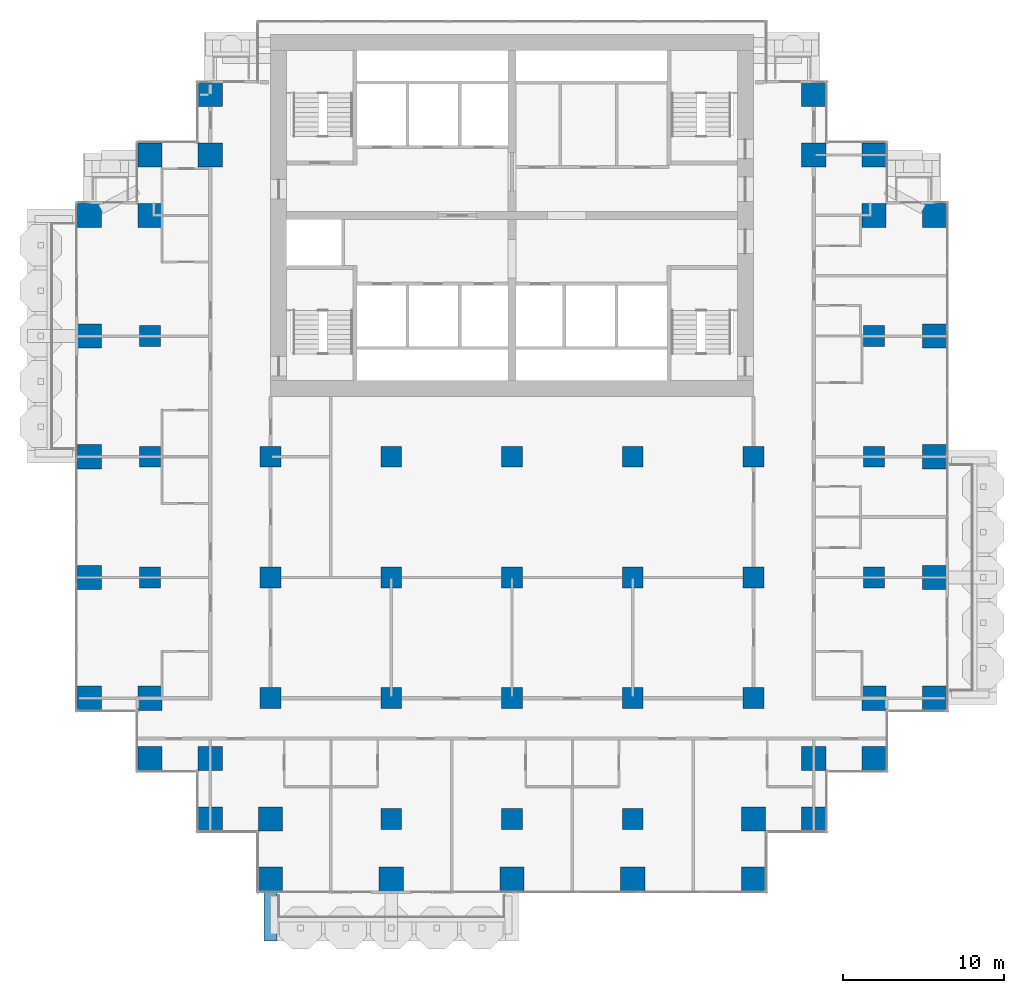
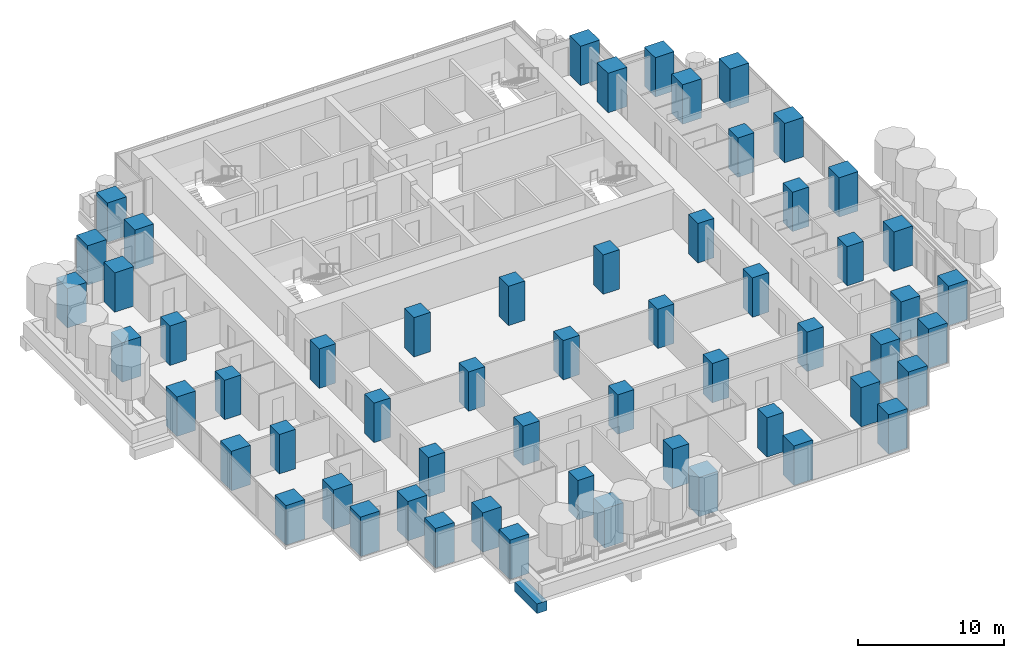
# One storey, part 1 of 18: 57 columns, 1 beam.
"""IFC4 building model written with IfcOpenShell, lengths in metres."""

from ifc_helpers import new_model, si_unit, direction, frame, origin, origin_2d, place, context, subcontext, project, spatial, rectangle, extrude, material, material_profile, profile_set, type_object, element, save


model = new_model("IFC4")

# Units and contexts
model_context = context("Model", 3, precision=1e-05, world=origin(), true_north=direction((0.0, 1.0)))
body_context = subcontext(model_context, "Body", "Model", "MODEL_VIEW")
ifc_project = project(units=[si_unit("LENGTHUNIT", "METRE"), si_unit("AREAUNIT", "SQUARE_METRE"), si_unit("VOLUMEUNIT", "CUBIC_METRE"), si_unit("PLANEANGLEUNIT", "RADIAN"), si_unit("MASSUNIT", "GRAM", prefix="KILO")], contexts=[model_context])

# Site, building, storey
site_placement = place(None, origin())
site = spatial("IfcSite", under=ifc_project, at=site_placement, CompositionType="ELEMENT")
building_placement = place(site_placement, origin())
building = spatial("IfcBuilding", under=site, at=building_placement, Name="Pilkhan Gate Tower", CompositionType="ELEMENT")
storey_placement = place(building_placement, frame((0.0, 0.0, 56.0)))
storey = spatial("IfcBuildingStorey", under=building, at=storey_placement, Name="L11", CompositionType="ELEMENT", Elevation=56.0)

# Columns
ifc_material_1 = material(Name="Concrete C70/85", Category="concrete")
ifc_material_profile_1 = material_profile(ifc_material_1, rectangle(XDim=1.300048828125, YDim=1.300048828125, at=origin_2d()), Name="RC 1300x1300")
ifc_profile_set_1 = profile_set([ifc_material_profile_1], Name="Concrete C70/85")
column_type_1 = type_object("IfcColumnType", Name="Column C130 RC 1300x1300 C70/85", PredefinedType="COLUMN", material=ifc_profile_set_1)
for number, where, z_axis, x_axis, name in (
    (1, (52.5, 60.0, 0.0), (0.0, 0.0, 1.0), (1.0, 0.0, 0.0), "Column 5/F L11"),
    (2, (52.5, 67.5, 0.0), (0.0, 0.0, 1.0), (1.0, 0.0, 0.0), "Column 5/H L11"),
    (3, (52.5, 75.0, 0.0), (0.0, 0.0, 1.0), (1.0, 0.0, 0.0), "Column 5/K L11"),
    (4, (60.0, 52.5, 0.0), (0.0, 0.0, 1.0), (1.0, 0.0, 0.0), "Column 7/D L11"),
    (5, (60.0, 60.0, 0.0), (0.0, 0.0, 1.0), (1.0, 0.0, 0.0), "Column 7/F L11"),
    (6, (60.0, 67.5, 0.0), (0.0, 0.0, 1.0), (1.0, 0.0, 0.0), "Column 7/H L11"),
    (7, (67.5, 45.0, 0.0), (0.0, 0.0, 1.0), (1.0, 0.0, 0.0), "Column 9/B L11"),
    (8, (67.5, 52.5, 0.0), (0.0, 0.0, 1.0), (1.0, 0.0, 0.0), "Column 9/D L11"),
    (9, (67.5, 60.0, 0.0), (0.0, 0.0, 1.0), (1.0, 0.0, 0.0), "Column 9/F L11"),
    (10, (67.5, 67.5, 0.0), (0.0, 0.0, 1.0), (1.0, 0.0, 0.0), "Column 9/H L11"),
    (11, (75.0, 45.0, 0.0), (0.0, 0.0, 1.0), (1.0, 0.0, 0.0), "Column 11/B L11"),
    (12, (75.0, 52.5, 0.0), (0.0, 0.0, 1.0), (1.0, 0.0, 0.0), "Column 11/D L11"),
    (13, (75.0, 60.0, 0.0), (0.0, 0.0, 1.0), (1.0, 0.0, 0.0), "Column 11/F L11"),
    (14, (75.0, 67.5, 0.0), (0.0, 0.0, 1.0), (1.0, 0.0, 0.0), "Column 11/H L11"),
    (15, (82.5, 45.0, 0.0), (0.0, 0.0, 1.0), (1.0, 0.0, 0.0), "Column 13/B L11"),
    (16, (82.5, 52.5, 0.0), (0.0, 0.0, 1.0), (1.0, 0.0, 0.0), "Column 13/D L11"),
    (17, (82.5, 60.0, 0.0), (0.0, 0.0, 1.0), (1.0, 0.0, 0.0), "Column 13/F L11"),
    (18, (82.5, 67.5, 0.0), (0.0, 0.0, 1.0), (1.0, 0.0, 0.0), "Column 13/H L11"),
    (19, (90.0, 52.5, 0.0), (0.0, 0.0, 1.0), (1.0, 0.0, 0.0), "Column 15/D L11"),
    (20, (90.0, 60.0, 0.0), (0.0, 0.0, 1.0), (1.0, 0.0, 0.0), "Column 15/F L11"),
    (21, (90.0, 67.5, 0.0), (0.0, 0.0, 1.0), (1.0, 0.0, 0.0), "Column 15/H L11"),
    (22, (97.5, 60.0, 0.0), (0.0, 0.0, 1.0), (1.0, 0.0, 0.0), "Column 17/F L11"),
    (23, (97.5, 67.5, 0.0), (0.0, 0.0, 1.0), (1.0, 0.0, 0.0), "Column 17/H L11"),
    (24, (97.5, 75.0, 0.0), (0.0, 0.0, 1.0), (1.0, 0.0, 0.0), "Column 17/K L11"),
):
    element("IfcColumn", number, at=place(storey_placement, frame(where, z_axis=z_axis, x_axis=x_axis)), inside=storey, type_object=column_type_1, Name=name, PredefinedType="COLUMN", context=body_context, shape_type="SweptSolid", body=[
        extrude(rectangle(XDim=1.300048828125, YDim=1.300048828125, at=origin_2d()), origin(), (0.0, 0.0, 1.0), 3.300048828125),
    ])
ifc_material_profile_2 = material_profile(ifc_material_1, rectangle(XDim=1.5, YDim=1.5, at=origin_2d()), Name="RC 1500x1500")
ifc_profile_set_2 = profile_set([ifc_material_profile_2], Name="Concrete C70/85")
column_type_2 = type_object("IfcColumnType", Name="Column C150 RC 1500x1500 C70/85", PredefinedType="COLUMN", material=ifc_profile_set_2)
for number, where, z_axis, x_axis, name in (
    (25, (48.75, 52.5, 0.0), (0.0, 0.0, 1.0), (1.0, 0.0, 0.0), "Column 4/D L11"),
    (26, (48.75, 60.0, 0.0), (0.0, 0.0, 1.0), (1.0, 0.0, 0.0), "Column 4/F L11"),
    (27, (48.75, 67.5, 0.0), (0.0, 0.0, 1.0), (1.0, 0.0, 0.0), "Column 4/H L11"),
    (28, (48.75, 75.0, 0.0), (0.0, 0.0, 1.0), (1.0, 0.0, 0.0), "Column 4/K L11"),
    (29, (48.75, 82.5, 0.0), (0.0, 0.0, 1.0), (1.0, 0.0, 0.0), "Column 4/M L11"),
    (30, (52.5, 48.75, 0.0), (0.0, 0.0, 1.0), (1.0, 0.0, 0.0), "Column 5/C L11"),
    (31, (52.5, 52.5, 0.0), (0.0, 0.0, 1.0), (1.0, 0.0, 0.0), "Column 5/D L11"),
    (32, (52.5, 82.5, 0.0), (0.0, 0.0, 1.0), (1.0, 0.0, 0.0), "Column 5/M L11"),
    (33, (52.5, 86.25, 0.0), (0.0, 0.0, 1.0), (1.0, 0.0, 0.0), "Column 5/N L11"),
    (34, (56.25, 45.0, 0.0), (0.0, 0.0, 1.0), (1.0, 0.0, 0.0), "Column 6/B L11"),
    (35, (56.25, 48.75, 0.0), (0.0, 0.0, 1.0), (1.0, 0.0, 0.0), "Column 6/C L11"),
    (36, (56.25, 86.25, 0.0), (0.0, 0.0, 1.0), (1.0, 0.0, 0.0), "Column 6/N L11"),
    (37, (56.25, 90.0, 0.0), (0.0, 0.0, 1.0), (1.0, 0.0, 0.0), "Column 6/P L11"),
    (38, (60.0, 41.25, 0.0), (0.0, 0.0, 1.0), (1.0, 0.0, 0.0), "Column 7/A L11"),
    (39, (60.0, 45.0, 0.0), (0.0, 0.0, 1.0), (1.0, 0.0, 0.0), "Column 7/B L11"),
    (40, (67.5, 41.25, 0.0), (0.0, 0.0, 1.0), (1.0, 0.0, 0.0), "Column 9/A L11"),
    (41, (75.0, 41.25, 0.0), (0.0, 0.0, 1.0), (1.0, 0.0, 0.0), "Column 11/A L11"),
    (42, (82.5, 41.25, 0.0), (0.0, 0.0, 1.0), (1.0, 0.0, 0.0), "Column 13/A L11"),
    (43, (90.0, 41.25, 0.0), (0.0, 0.0, 1.0), (1.0, 0.0, 0.0), "Column 15/A L11"),
    (44, (90.0, 45.0, 0.0), (0.0, 0.0, 1.0), (1.0, 0.0, 0.0), "Column 15/B L11"),
    (45, (93.75, 45.0, 0.0), (0.0, 0.0, 1.0), (1.0, 0.0, 0.0), "Column 16/B L11"),
    (46, (93.75, 48.75, 0.0), (0.0, 0.0, 1.0), (1.0, 0.0, 0.0), "Column 16/C L11"),
    (47, (93.75, 86.25, 0.0), (0.0, 0.0, 1.0), (1.0, 0.0, 0.0), "Column 16/N L11"),
    (48, (93.75, 90.0, 0.0), (0.0, 0.0, 1.0), (1.0, 0.0, 0.0), "Column 16/P L11"),
    (49, (97.5, 48.75, 0.0), (0.0, 0.0, 1.0), (1.0, 0.0, 0.0), "Column 17/C L11"),
    (50, (97.5, 52.5, 0.0), (0.0, 0.0, 1.0), (1.0, 0.0, 0.0), "Column 17/D L11"),
    (51, (97.5, 82.5, 0.0), (0.0, 0.0, 1.0), (1.0, 0.0, 0.0), "Column 17/M L11"),
    (52, (97.5, 86.25, 0.0), (0.0, 0.0, 1.0), (1.0, 0.0, 0.0), "Column 17/N L11"),
    (53, (101.25, 52.5, 0.0), (0.0, 0.0, 1.0), (1.0, 0.0, 0.0), "Column 18/D L11"),
    (54, (101.25, 60.0, 0.0), (0.0, 0.0, 1.0), (1.0, 0.0, 0.0), "Column 18/F L11"),
    (55, (101.25, 67.5, 0.0), (0.0, 0.0, 1.0), (1.0, 0.0, 0.0), "Column 18/H L11"),
    (56, (101.25, 75.0, 0.0), (0.0, 0.0, 1.0), (1.0, 0.0, 0.0), "Column 18/K L11"),
    (57, (101.25, 82.5, 0.0), (0.0, 0.0, 1.0), (1.0, 0.0, 0.0), "Column 18/M L11"),
):
    element("IfcColumn", number, at=place(storey_placement, frame(where, z_axis=z_axis, x_axis=x_axis)), inside=storey, type_object=column_type_2, Name=name, PredefinedType="COLUMN", context=body_context, shape_type="SweptSolid", body=[
        extrude(rectangle(XDim=1.5, YDim=1.5, at=origin_2d()), origin(), (0.0, 0.0, 1.0), 3.300048828125),
    ])

# Beam
ifc_material_2 = material(Name="Concrete C50/60", Category="concrete")
ifc_material_profile_3 = material_profile(ifc_material_2, rectangle(XDim=0.800048828125, YDim=0.800048828125, at=origin_2d()), Name="RC 800x800")
ifc_profile_set_3 = profile_set([ifc_material_profile_3], Name="Concrete C50/60")
beam_type = type_object("IfcBeamType", Name="Cantilever beam CB2 RC 800x800 C50/60", PredefinedType="BEAM", material=ifc_profile_set_3)
beam_placement = place(storey_placement, frame((60.0, 40.449951171875, -0.699951171875), z_axis=(0.0, -1.0, 0.0), x_axis=(1.0, 0.0, 0.0)))
element("IfcBeam", 58, at=beam_placement, inside=storey, type_object=beam_type, Name="Balcony beam S.1 L11", PredefinedType="BEAM", context=body_context, shape_type="SweptSolid", body=[
    extrude(rectangle(XDim=0.800048828125, YDim=0.800048828125, at=origin_2d()), origin(), (0.0, 0.0, 1.0), 3.050048828125),
])

save(model, "model.ifc")
